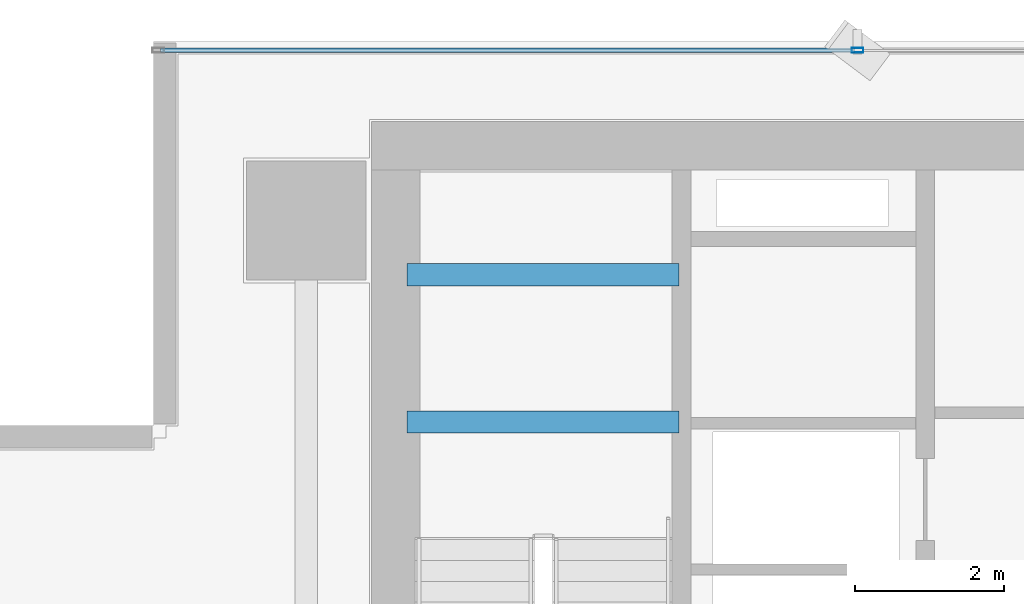
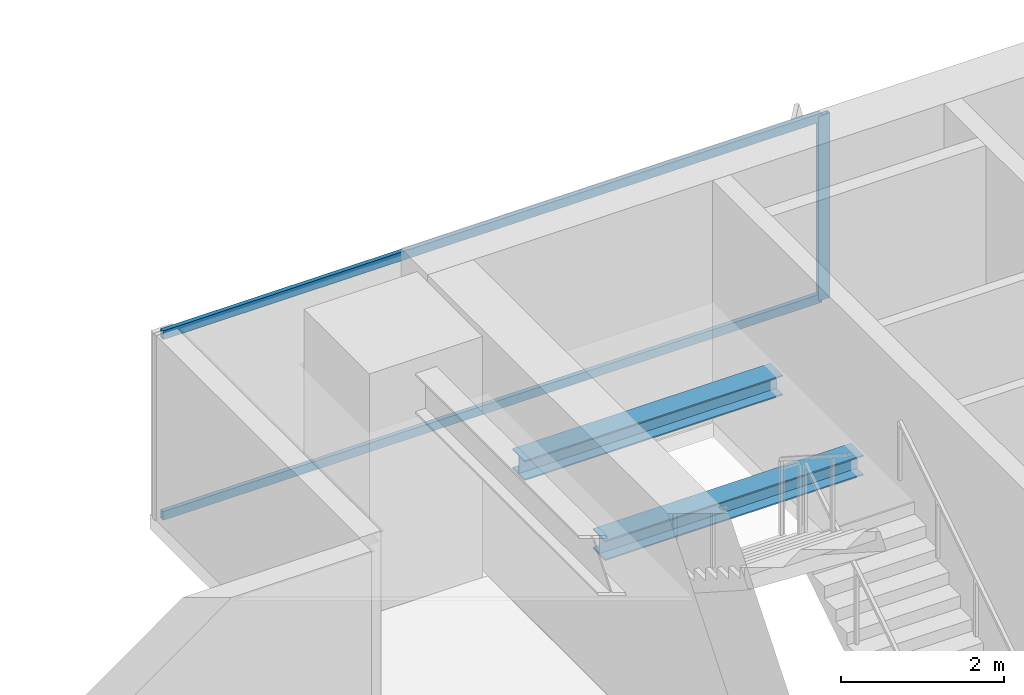
# One storey, part 15 of 28: 3 members, 2 beams, 1 element without a shape of its own.
"""IFC4 building model written with IfcOpenShell, lengths in metres."""

import ifcopenshell
import ifcopenshell.guid

model = None  # the IFC model being written
_history = None  # IfcOwnerHistory: only IFC2X3 demands one
_inside = {}  # id of a spatial element -> (the spatial element, [elements in it])
_under = {}  # id of a project, library or spatial element -> (it, [spatial elements below it])
_declared = {}  # id of a project -> (the project, [libraries it declares])
_typed = {}  # id of a type object -> (the type object, [elements of that type])
_made_of = {}  # id of a material, layer set ... -> (it, [elements and type objects made of it])


def new_model(schema):
    """Start an empty IFC model of exactly this schema.

    Asked for "IFC4X3", IfcOpenShell would pick the latest addendum, in which some entities
    have other attributes; the version numbers below select the first issue.
    IFC2X3 requires an IfcOwnerHistory on every rooted entity: one is made here for all.
    """
    global model, _history
    if schema == "IFC4X3":
        model = ifcopenshell.file(schema_version=(4, 3, 0, 0))
    else:
        model = ifcopenshell.file(schema=schema)
    _inside.clear()
    _under.clear()
    _declared.clear()
    _typed.clear()
    _made_of.clear()
    _history = None
    if model.schema == "IFC2X3":
        org = make("IfcOrganization", Name="unknown")
        user = make(
            "IfcPersonAndOrganization",
            ThePerson=make("IfcPerson", FamilyName="unknown"),
            TheOrganization=org,
        )
        app = make(
            "IfcApplication",
            ApplicationDeveloper=org,
            Version="unknown",
            ApplicationFullName="unknown",
            ApplicationIdentifier="unknown",
        )
        _history = make(
            "IfcOwnerHistory",
            OwningUser=user,
            OwningApplication=app,
            ChangeAction="ADDED",
            CreationDate=0,
        )
    return model


def make(cls, **values):
    """One entity of the class cls with the attributes given. An attribute that is None is left unset."""
    return model.create_entity(
        cls, **{name: value for name, value in values.items() if value is not None}
    )


def rooted(cls, **values):
    """An entity with a GlobalId (a new one), such as an element, a storey or a relation."""
    return make(cls, GlobalId=ifcopenshell.guid.new(), OwnerHistory=_history, **values)


def si_unit(unit_type, name, prefix=None):
    """IfcSIUnit, for example si_unit("LENGTHUNIT", "METRE", prefix="MILLI")."""
    return make("IfcSIUnit", UnitType=unit_type, Prefix=prefix, Name=name)


def assignment(units):
    """IfcUnitAssignment: the units of a project."""
    return None if units is None else make("IfcUnitAssignment", Units=units)


def point(xyz):
    """IfcCartesianPoint."""
    return None if xyz is None else make("IfcCartesianPoint", Coordinates=xyz)


def direction(xyz):
    """IfcDirection."""
    return None if xyz is None else make("IfcDirection", DirectionRatios=xyz)


def frame(location, z_axis=None, x_axis=None):
    """IfcAxis2Placement3D, a coordinate frame: its origin and axes. An axis left out is left unset."""
    return make(
        "IfcAxis2Placement3D",
        Location=point(location),
        Axis=direction(z_axis),
        RefDirection=direction(x_axis),
    )


def frame_2d(location, x_axis=None):
    """IfcAxis2Placement2D, a coordinate frame in the plane: its origin and x axis."""
    return make(
        "IfcAxis2Placement2D", Location=point(location), RefDirection=direction(x_axis)
    )


def origin():
    """The frame at (0, 0, 0) with its axes left unset."""
    return frame((0.0, 0.0, 0.0))


def origin_2d():
    """The frame at (0, 0) in the plane with its x axis left unset."""
    return frame_2d((0.0, 0.0))


def place(relative_to, where):
    """IfcLocalPlacement: puts the frame where relative to a parent placement (None: the world)."""
    return make(
        "IfcLocalPlacement", PlacementRelTo=relative_to, RelativePlacement=where
    )


def context(
    kind, dimensions, precision=None, world=None, true_north=None, identifier=None
):
    """IfcGeometricRepresentationContext, for example the 3D "Model" context."""
    return make(
        "IfcGeometricRepresentationContext",
        ContextIdentifier=identifier,
        ContextType=kind,
        CoordinateSpaceDimension=dimensions,
        Precision=precision,
        WorldCoordinateSystem=world,
        TrueNorth=true_north,
    )


def subcontext(parent, identifier, kind, view, scale=None):
    """IfcGeometricRepresentationSubContext, for example "Body" below "Model"."""
    return make(
        "IfcGeometricRepresentationSubContext",
        ContextIdentifier=identifier,
        ContextType=kind,
        ParentContext=parent,
        TargetScale=scale,
        TargetView=view,
    )


def project(units=None, contexts=None):
    """IfcProject with its units and contexts."""
    return rooted(
        "IfcProject",
        Name="project",
        RepresentationContexts=contexts,
        UnitsInContext=assignment(units),
    )


def spatial(cls, under=None, at=None, **own):
    """A site, building, storey or space (cls), placed at a placement, below another one or the project."""
    s = rooted(cls, ObjectPlacement=at, **own)
    if under is not None:
        _under.setdefault(under.id(), (under, []))[1].append(s)
    return s


def profile(cls, at=None, kind="AREA", **sizes):
    """A parametric profile (cls). Its sizes go by their IFC names, for example OverallWidth=200.0."""
    return make(cls, ProfileType=kind, Position=at, **sizes)


def hollow_rectangle(**sizes):
    """IfcRectangleHollowProfileDef."""
    return profile("IfcRectangleHollowProfileDef", **sizes)


def i_section(**sizes):
    """IfcIShapeProfileDef."""
    return profile("IfcIShapeProfileDef", **sizes)


def extrude(swept, where, along, depth):
    """IfcExtrudedAreaSolid: the profile swept, set in the frame where, extruded along a direction by depth."""
    return make(
        "IfcExtrudedAreaSolid",
        SweptArea=swept,
        Position=where,
        ExtrudedDirection=direction(along),
        Depth=depth,
    )


def shape(context_of_items, identifier, shape_type, items):
    """IfcShapeRepresentation: the items that make up one representation, for example the "Body"."""
    return make(
        "IfcShapeRepresentation",
        ContextOfItems=context_of_items,
        RepresentationIdentifier=identifier,
        RepresentationType=shape_type,
        Items=items,
    )


def source(mapping_origin, context_of_items, identifier, shape_type, items):
    """IfcRepresentationMap: a shape defined once, which mapped items show again and again."""
    return make(
        "IfcRepresentationMap",
        MappingOrigin=mapping_origin,
        MappedRepresentation=shape(context_of_items, identifier, shape_type, items),
    )


def transform(
    local_origin,
    x_axis=None,
    y_axis=None,
    z_axis=None,
    scale=None,
    scale2=None,
    scale3=None,
    uniform=True,
):
    """IfcCartesianTransformationOperator3D, or its non-uniform kind. x_axis, y_axis, z_axis: its Axis1, 2, 3."""
    if uniform:
        return make(
            "IfcCartesianTransformationOperator3D",
            Axis1=direction(x_axis),
            Axis2=direction(y_axis),
            LocalOrigin=point(local_origin),
            Scale=scale,
            Axis3=direction(z_axis),
        )
    return make(
        "IfcCartesianTransformationOperator3DnonUniform",
        Axis1=direction(x_axis),
        Axis2=direction(y_axis),
        LocalOrigin=point(local_origin),
        Scale=scale,
        Axis3=direction(z_axis),
        Scale2=scale2,
        Scale3=scale3,
    )


def mapped(mapping_source, mapping_target):
    """IfcMappedItem: shows the shape of a source again, moved by a transform."""
    return make(
        "IfcMappedItem", MappingSource=mapping_source, MappingTarget=mapping_target
    )


def material(Name=None, Category=None):
    """IfcMaterial."""
    return make("IfcMaterial", Name=Name, Category=Category)


def layer(
    of_material, thickness, ventilated=None, Name=None, Category=None, Priority=None
):
    """IfcMaterialLayer: one layer of a wall or slab, of a material (None: an air gap)."""
    return make(
        "IfcMaterialLayer",
        Material=of_material,
        LayerThickness=thickness,
        IsVentilated=ventilated,
        Name=Name,
        Category=Category,
        Priority=Priority,
    )


def layer_set(layers, Name=None):
    """IfcMaterialLayerSet."""
    return make("IfcMaterialLayerSet", MaterialLayers=layers, LayerSetName=Name)


def material_profile(
    of_material, cross_section, Name=None, Category=None, Priority=None
):
    """IfcMaterialProfile: a cross section and its material."""
    return make(
        "IfcMaterialProfile",
        Name=Name,
        Material=of_material,
        Profile=cross_section,
        Priority=Priority,
        Category=Category,
    )


def profile_set(profiles, Name=None, composite=None):
    """IfcMaterialProfileSet."""
    return make(
        "IfcMaterialProfileSet",
        Name=Name,
        MaterialProfiles=profiles,
        CompositeProfile=composite,
    )


def made_of(thing, what):
    """Note that an element or type object is made of a material, layer set ...; save() writes the relation."""
    if what is not None:
        _made_of.setdefault(what.id(), (what, []))[1].append(thing)
    return thing


def type_object(cls, material=None, **own):
    """A type object (cls), such as IfcWallType, which elements share."""
    return made_of(rooted(cls, **own), material)


def element(
    cls,
    number,
    at=None,
    inside=None,
    cuts=None,
    type_object=None,
    material=None,
    context=None,
    identifier="Body",
    shape_type=None,
    held_by="IfcProductDefinitionShape",
    body=None,
    shapes=None,
    **own,
):
    """One element of the class cls, such as IfcWall. Its Tag is "e" and its number.

    at: its placement. inside: the storey or other place that contains it. cuts: it is an
    opening in that element (IfcRelVoidsElement). A single representation is given by context,
    identifier, shape_type and body (its items); several are given by shapes. held_by: the class
    of the entity that holds the representations. save() writes the other relations.
    """
    e = rooted(cls, Tag="e%d" % number, ObjectPlacement=at, **own)
    if body is not None:
        shapes = [shape(context, identifier, shape_type, body)]
    if shapes is not None:
        e.Representation = make(held_by, Representations=shapes)
    if inside is not None:
        _inside.setdefault(inside.id(), (inside, []))[1].append(e)
    if cuts is not None:
        rooted(
            "IfcRelVoidsElement", RelatingBuildingElement=cuts, RelatedOpeningElement=e
        )
    if type_object is not None:
        _typed.setdefault(type_object.id(), (type_object, []))[1].append(e)
    return made_of(e, material)


def aggregate(whole, parts):
    """IfcRelAggregates: a whole, such as a stair, and the parts it consists of."""
    return rooted("IfcRelAggregates", RelatingObject=whole, RelatedObjects=parts)


def save(model, path):
    """Write the relations noted so far, then the file.

    IfcRelAggregates (storeys below a building ...), IfcRelContainedInSpatialStructure (elements
    in a storey), IfcRelDefinesByType, IfcRelAssociatesMaterial and IfcRelDeclares: one each for
    every whole, place, type object, material and project.
    """
    for whole, parts in _under.values():
        aggregate(whole, parts)
    for where, things in _inside.values():
        rooted(
            "IfcRelContainedInSpatialStructure",
            RelatedElements=things,
            RelatingStructure=where,
        )
    for kind, things in _typed.values():
        rooted("IfcRelDefinesByType", RelatedObjects=things, RelatingType=kind)
    for what, things in _made_of.values():
        rooted("IfcRelAssociatesMaterial", RelatedObjects=things, RelatingMaterial=what)
    for by, libraries in _declared.values():
        rooted("IfcRelDeclares", RelatingContext=by, RelatedDefinitions=libraries)
    model.write(path)


model = new_model("IFC4")

# Units and contexts
model_context = context("Model", 3, precision=1e-05, world=origin(), true_north=direction((0.0, 1.0)))
body_context = subcontext(model_context, "Body", "Model", "MODEL_VIEW")
ifc_project = project(units=[si_unit("LENGTHUNIT", "METRE"), si_unit("AREAUNIT", "SQUARE_METRE"), si_unit("VOLUMEUNIT", "CUBIC_METRE"), si_unit("PLANEANGLEUNIT", "RADIAN"), si_unit("MASSUNIT", "GRAM", prefix="KILO")], contexts=[model_context])

# Site, building, storey
site_placement = place(None, origin())
site = spatial("IfcSite", under=ifc_project, at=site_placement, CompositionType="ELEMENT")
building_placement = place(site_placement, origin())
building = spatial("IfcBuilding", under=site, at=building_placement, Name="Sumidabori Civic Tower", CompositionType="ELEMENT")
storey_placement = place(building_placement, frame((0.0, 0.0, 146.0)))
storey = spatial("IfcBuildingStorey", under=building, at=storey_placement, Name="L37", CompositionType="ELEMENT", Elevation=146.0)

# Beams
ifc_material_1 = material(Name="Steel SN490", Category="steel")
ifc_material_profile_1 = material_profile(ifc_material_1, i_section(OverallWidth=0.300048828125, OverallDepth=0.300048828125, WebThickness=0.010986328125, FlangeThickness=0.01904296875, at=origin_2d()), Name="HE 300 B")
ifc_profile_set_1 = profile_set([ifc_material_profile_1], Name="Steel SN490")
beam_type = type_object("IfcBeamType", Name="BM-LDG-300", PredefinedType="BEAM", material=ifc_profile_set_1)
shared_shape_1 = source(origin(), body_context, "Body", "SweptSolid", [
    extrude(i_section(OverallWidth=0.300048828125, OverallDepth=0.300048828125, WebThickness=0.010986328125, FlangeThickness=0.01904296875, at=origin_2d()), origin(), (0.0, 0.0, 1.0), 3.64990234375),
])
for number, where, z_axis, x_axis, name in (
    (1, (-15.449951171875, 20.09765625, 1.449951171875), (1.0, 0.0, 0.0), (0.0, 1.0, 0.0), "Stair ST-1 Landing Support Beam L37-1A"),
    (2, (-15.449951171875, 22.069580078125, 1.449951171875), (1.0, 0.0, 0.0), (0.0, 1.0, 0.0), "Stair ST-1 Landing Trimmer Beam L37-1B"),
):
    element("IfcBeam", number, at=place(storey_placement, frame(where, z_axis=z_axis, x_axis=x_axis)), inside=storey, type_object=beam_type, Name=name, PredefinedType="BEAM", context=body_context, shape_type="MappedRepresentation", body=[
        mapped(shared_shape_1, transform((0.0, 0.0, 0.0), x_axis=(1.0, 0.0, 0.0), y_axis=(0.0, 1.0, 0.0), z_axis=(0.0, 0.0, 1.0), scale=1.0)),
    ])

# Curtain wall, members
ifc_material_2 = material(Name="Anodised Bronze Aluminium AW-6063-T6", Category="aluminium")
ifc_layer = layer(ifc_material_2, 0.179931640625, Name="Anodised Bronze Aluminium AW-6063-T6")
ifc_layer_set = layer_set([ifc_layer], Name="Anodised Bronze Aluminium AW-6063-T6")
curtain_wall_type = type_object("IfcCurtainWallType", Name="CW-SYS-3", PredefinedType="NOTDEFINED", material=ifc_layer_set)
curtain_wall_placement = place(storey_placement, origin())
curtain_wall = element("IfcCurtainWall", 3, at=curtain_wall_placement, inside=storey, type_object=curtain_wall_type, Name="Curtain Wall CW:L37:R07", PredefinedType="NOTDEFINED")
ifc_material_profile_2 = material_profile(ifc_material_2, hollow_rectangle(XDim=0.06494140625, YDim=0.159912109375, WallThickness=0.0048828125, at=origin_2d()), Name="ALU MULLION 160x65")
ifc_profile_set_2 = profile_set([ifc_material_profile_2], Name="Anodised Bronze Aluminium AW-6063-T6")
member_type_1 = type_object("IfcMemberType", Name="CW-MUL-160", PredefinedType="MULLION", material=ifc_profile_set_2)
shared_shape_2 = source(origin(), body_context, "Body", "SweptSolid", [
    extrude(hollow_rectangle(XDim=0.06494140625, YDim=0.159912109375, WallThickness=0.0048828125, at=origin_2d()), origin(), (0.0, 0.0, 1.0), 2.760009765625),
])
member_1_placement = place(storey_placement, frame((-9.409912109375, 25.080078125, 0.0), z_axis=(0.0, 0.0, 1.0), x_axis=(0.0, -1.0, 0.0)))
member_1 = element("IfcMember", 4, at=member_1_placement, type_object=member_type_1, Name="CW-3 mullion 4", PredefinedType="MULLION", context=body_context, shape_type="MappedRepresentation", body=[
    mapped(shared_shape_2, transform((0.0, 0.0, 0.0), x_axis=(1.0, 0.0, 0.0), y_axis=(0.0, 1.0, 0.0), z_axis=(0.0, 0.0, 1.0), scale=1.0)),
])
ifc_material_profile_3 = material_profile(ifc_material_2, hollow_rectangle(XDim=0.06005859375, YDim=0.1298828125, WallThickness=0.0048828125, at=origin_2d()), Name="ALU TRANSOM 130x60")
ifc_profile_set_3 = profile_set([ifc_material_profile_3], Name="Anodised Bronze Aluminium AW-6063-T6")
member_type_2 = type_object("IfcMemberType", Name="CW-TRN-130", PredefinedType="USERDEFINED", material=ifc_profile_set_3)
shared_shape_3 = source(origin(), body_context, "Body", "SweptSolid", [
    extrude(hollow_rectangle(XDim=0.06005859375, YDim=0.1298828125, WallThickness=0.0048828125, at=origin_2d()), origin(), (0.0, 0.0, 1.0), 9.3125),
])
member_2_placement = place(storey_placement, frame((-9.4423828125, 25.080078125, 0.030029296875), z_axis=(-1.0, 0.0, 0.0), x_axis=(0.0, -1.0, 0.0)))
member_2 = element("IfcMember", 5, at=member_2_placement, type_object=member_type_2, Name="CW-3 transom 4.1", ObjectType="TRANSOM", PredefinedType="USERDEFINED", context=body_context, shape_type="MappedRepresentation", body=[
    mapped(shared_shape_3, transform((0.0, 0.0, 0.0), x_axis=(1.0, 0.0, 0.0), y_axis=(0.0, 1.0, 0.0), z_axis=(0.0, 0.0, 1.0), scale=1.0)),
])
member_3_placement = place(storey_placement, frame((-9.4423828125, 25.080078125, 2.72998046875), z_axis=(-1.0, 0.0, 0.0), x_axis=(0.0, -1.0, 0.0)))
member_3 = element("IfcMember", 6, at=member_3_placement, type_object=member_type_2, Name="CW-3 transom 4.2", ObjectType="TRANSOM", PredefinedType="USERDEFINED", context=body_context, shape_type="MappedRepresentation", body=[
    mapped(shared_shape_3, transform((0.0, 0.0, 0.0), x_axis=(1.0, 0.0, 0.0), y_axis=(0.0, 1.0, 0.0), z_axis=(0.0, 0.0, 1.0), scale=1.0)),
])
aggregate(curtain_wall, [member_1, member_2, member_3])

save(model, "model.ifc")
